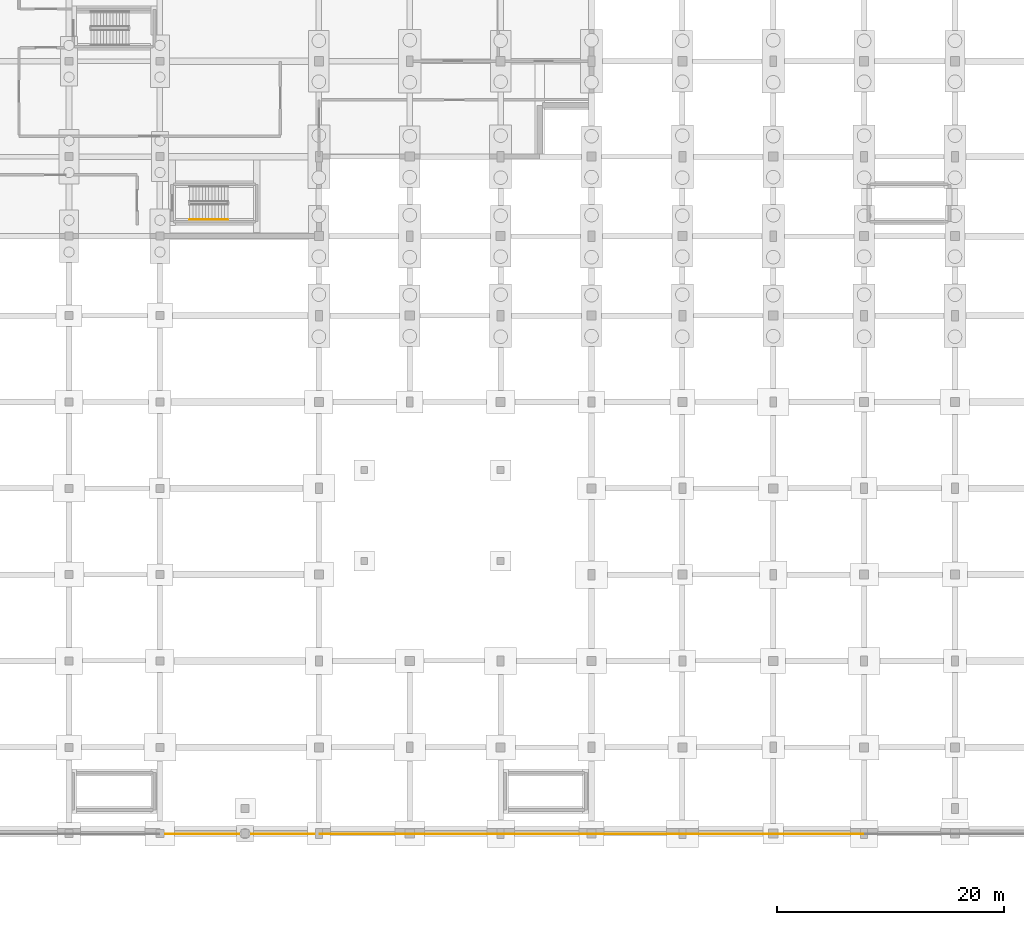
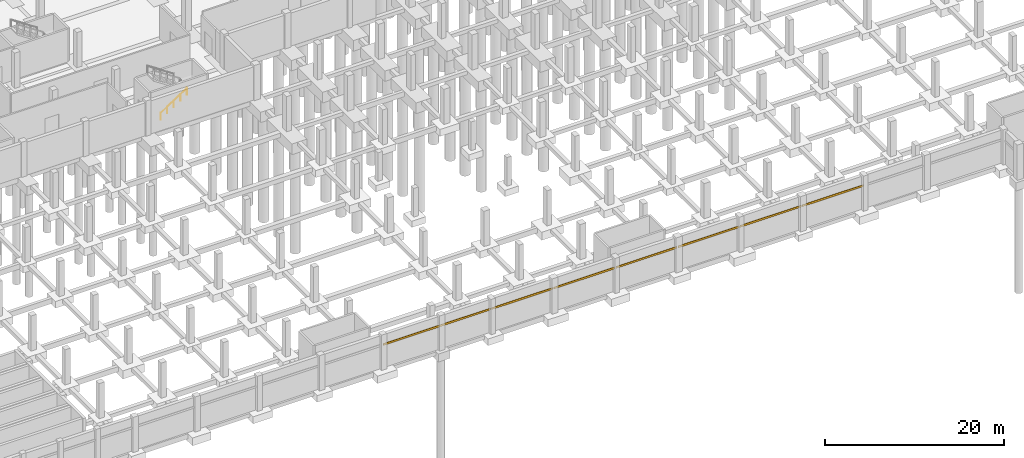
# One storey, part 42 of 50: 7 coverings, 1 railing.
"""IFC4 building model written with IfcOpenShell, lengths in metres."""

from ifc_helpers import new_model, si_unit, direction, frame, origin, origin_2d, place, context, subcontext, project, spatial, rectangle, circle, extrude, material, layer, layer_set, type_object, element, save


model = new_model("IFC4")

# Units and contexts
model_context = context("Model", 3, precision=1e-05, world=origin(), true_north=direction((0.0, 1.0)))
body_context = subcontext(model_context, "Body", "Model", "MODEL_VIEW")
ifc_project = project(units=[si_unit("LENGTHUNIT", "METRE"), si_unit("AREAUNIT", "SQUARE_METRE"), si_unit("VOLUMEUNIT", "CUBIC_METRE"), si_unit("PLANEANGLEUNIT", "RADIAN"), si_unit("MASSUNIT", "GRAM", prefix="KILO")], contexts=[model_context])

# Site, building, storey
site_placement = place(None, origin())
site = spatial("IfcSite", under=ifc_project, at=site_placement, CompositionType="ELEMENT")
building_placement = place(site_placement, origin())
building = spatial("IfcBuilding", under=site, at=building_placement, Name="Vekula Escarpment Museum", CompositionType="ELEMENT")
storey_placement = place(building_placement, frame((0.0, 0.0, -4.800048828125)))
storey = spatial("IfcBuildingStorey", under=building, at=storey_placement, Name="B1", CompositionType="ELEMENT", Elevation=-4.800048828125)

# Coverings
ifc_material_1 = material(Name="Polychrome limestone almasik string-course band", Category="masonry")
ifc_layer = layer(ifc_material_1, 0.06005859375)
ifc_layer_set = layer_set([ifc_layer], Name="Polychrome limestone almasik string-course band")
covering_type = type_object("IfcCoveringType", Name="COV-ALM-BAND", PredefinedType="CLADDING", material=ifc_layer_set)
covering_placement = place(storey_placement, frame((63.0, -0.02587890625, 3.06982421875), z_axis=(0.0, 0.0, 1.0), x_axis=(1.0, 0.0, 0.0)))
element("IfcCovering", 1, at=covering_placement, inside=storey, type_object=covering_type, Name="Plinth Almasik Stone Band 0703", PredefinedType="CLADDING", context=body_context, shape_type="SweptSolid", body=[
    extrude(rectangle(XDim=13.8798828125, YDim=0.06005859375, at=origin_2d()), origin(), (0.0, 0.0, 1.0), 0.260009765625),
])
for number, where, z_axis, x_axis, name in (
    (2, (74.0, -0.02587890625, 3.06982421875), (0.0, 0.0, 1.0), (1.0, 0.0, 0.0), "Plinth Almasik Stone Band 0704"),
    (3, (82.0, -0.02587890625, 3.06982421875), (0.0, 0.0, 1.0), (1.0, 0.0, 0.0), "Plinth Almasik Stone Band 0705"),
    (4, (90.0, -0.02587890625, 3.06982421875), (0.0, 0.0, 1.0), (1.0, 0.0, 0.0), "Plinth Almasik Stone Band 0706"),
    (5, (98.0, -0.02587890625, 3.06982421875), (0.0, 0.0, 1.0), (1.0, 0.0, 0.0), "Plinth Almasik Stone Band 0707"),
    (6, (106.0, -0.02587890625, 3.06982421875), (0.0, 0.0, 1.0), (1.0, 0.0, 0.0), "Plinth Almasik Stone Band 0708"),
    (7, (114.0, -0.02587890625, 3.06982421875), (0.0, 0.0, 1.0), (1.0, 0.0, 0.0), "Plinth Almasik Stone Band 0709"),
):
    element("IfcCovering", number, at=place(storey_placement, frame(where, z_axis=z_axis, x_axis=x_axis)), inside=storey, type_object=covering_type, Name=name, PredefinedType="CLADDING", context=body_context, shape_type="SweptSolid", body=[
        extrude(rectangle(XDim=7.8798828125, YDim=0.06005859375, at=origin_2d()), origin(), (0.0, 0.0, 1.0), 0.260009765625),
    ])

# Railing
ifc_material_2 = material(Name="Brushed stainless steel handrail", Category="steel")
railing_type = type_object("IfcRailingType", Name="RL-STAIR-HAND", PredefinedType="HANDRAIL", material=ifc_material_2)
railing_placement = place(storey_placement, frame((58.6201171875, 54.050048828125, 0.1845703125)))
element("IfcRailing", 8, at=railing_placement, inside=storey, type_object=railing_type, Name="B1 ST-01 stair handrail 1", PredefinedType="HANDRAIL", context=body_context, shape_type="SweptSolid", body=[
    extrude(circle(Radius=0.02392578125, at=origin_2d()), frame((0.0, 0.0, 0.8759765625), z_axis=(0.83483021737, 0.0, 0.550507500554), x_axis=(0.0, 1.0, 0.0)), (0.0, 0.0, 1.0), 4.024658203125),
    extrude(circle(Radius=0.02099609375, at=origin_2d()), origin(), (0.0, 0.0, 1.0), 0.851806640625),
    extrude(circle(Radius=0.02099609375, at=origin_2d()), frame((0.83984375, 0.0, 0.553955078125)), (0.0, 0.0, 1.0), 0.851806640625),
    extrude(circle(Radius=0.02099609375, at=origin_2d()), frame((1.679931640625, 0.0, 1.10791015625)), (0.0, 0.0, 1.0), 0.851806640625),
    extrude(circle(Radius=0.02099609375, at=origin_2d()), frame((2.52001953125, 0.0, 1.66162109375)), (0.0, 0.0, 1.0), 0.851806640625),
    extrude(circle(Radius=0.02099609375, at=origin_2d()), frame((3.35986328125, 0.0, 2.215576171875)), (0.0, 0.0, 1.0), 0.851806640625),
])

save(model, "model.ifc")
